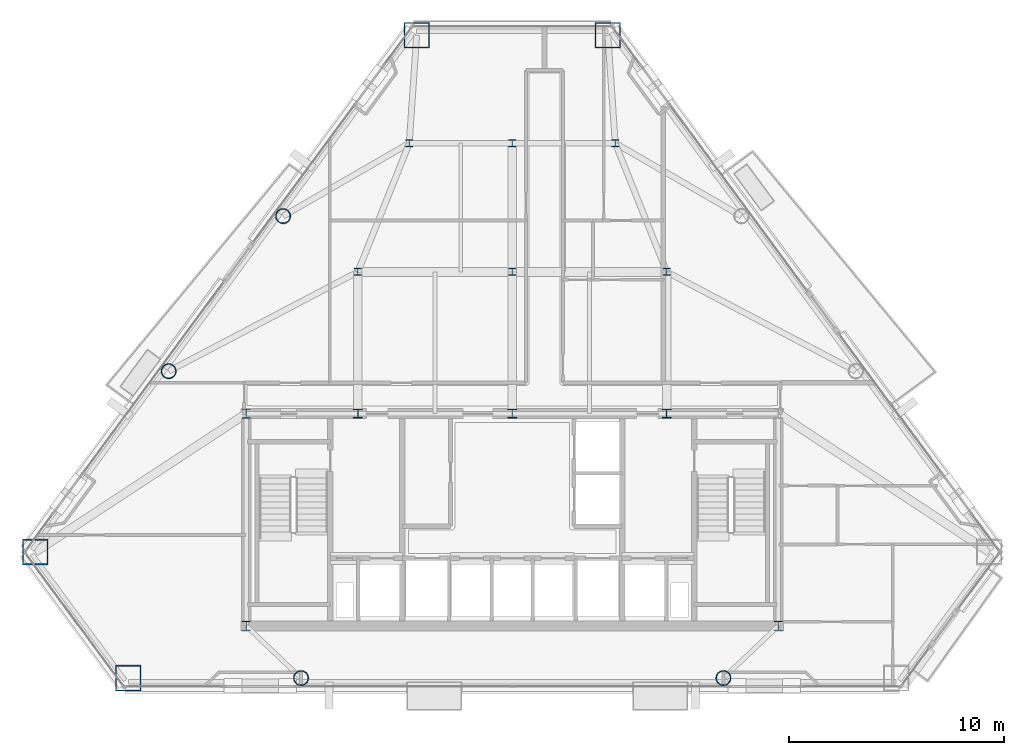
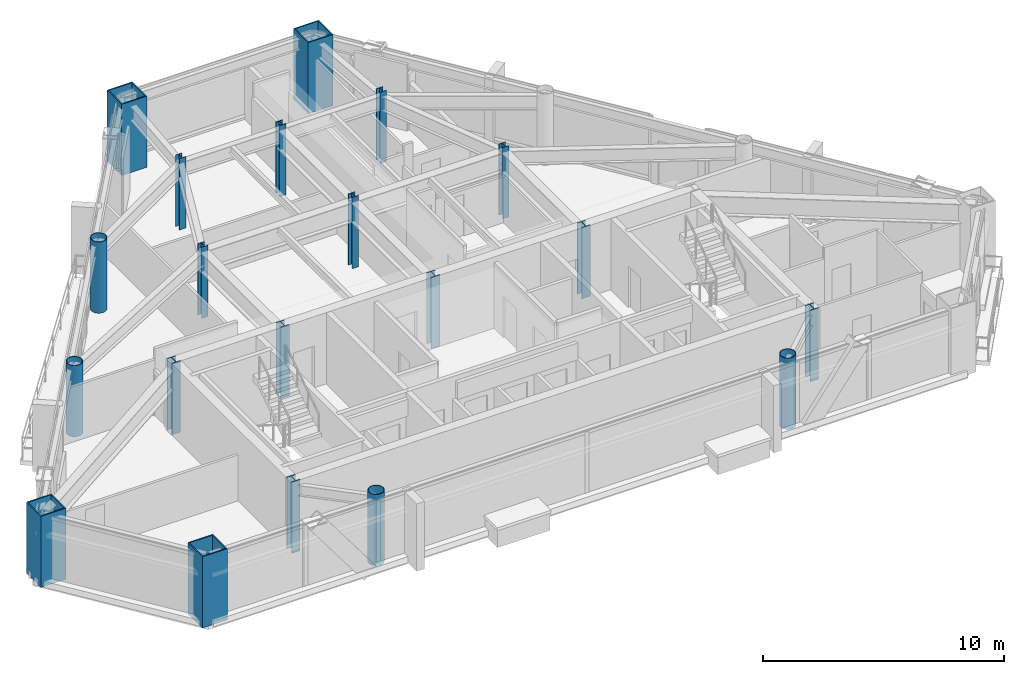
# One storey, part 1 of 11: 20 columns.
"""IFC4 building model written with IfcOpenShell, lengths in metres."""

import ifcopenshell
import ifcopenshell.guid

model = None  # the IFC model being written
_history = None  # IfcOwnerHistory: only IFC2X3 demands one
_inside = {}  # id of a spatial element -> (the spatial element, [elements in it])
_under = {}  # id of a project, library or spatial element -> (it, [spatial elements below it])
_declared = {}  # id of a project -> (the project, [libraries it declares])
_typed = {}  # id of a type object -> (the type object, [elements of that type])
_made_of = {}  # id of a material, layer set ... -> (it, [elements and type objects made of it])


def new_model(schema):
    """Start an empty IFC model of exactly this schema.

    Asked for "IFC4X3", IfcOpenShell would pick the latest addendum, in which some entities
    have other attributes; the version numbers below select the first issue.
    IFC2X3 requires an IfcOwnerHistory on every rooted entity: one is made here for all.
    """
    global model, _history
    if schema == "IFC4X3":
        model = ifcopenshell.file(schema_version=(4, 3, 0, 0))
    else:
        model = ifcopenshell.file(schema=schema)
    _inside.clear()
    _under.clear()
    _declared.clear()
    _typed.clear()
    _made_of.clear()
    _history = None
    if model.schema == "IFC2X3":
        org = make("IfcOrganization", Name="unknown")
        user = make(
            "IfcPersonAndOrganization",
            ThePerson=make("IfcPerson", FamilyName="unknown"),
            TheOrganization=org,
        )
        app = make(
            "IfcApplication",
            ApplicationDeveloper=org,
            Version="unknown",
            ApplicationFullName="unknown",
            ApplicationIdentifier="unknown",
        )
        _history = make(
            "IfcOwnerHistory",
            OwningUser=user,
            OwningApplication=app,
            ChangeAction="ADDED",
            CreationDate=0,
        )
    return model


def make(cls, **values):
    """One entity of the class cls with the attributes given. An attribute that is None is left unset."""
    return model.create_entity(
        cls, **{name: value for name, value in values.items() if value is not None}
    )


def rooted(cls, **values):
    """An entity with a GlobalId (a new one), such as an element, a storey or a relation."""
    return make(cls, GlobalId=ifcopenshell.guid.new(), OwnerHistory=_history, **values)


def si_unit(unit_type, name, prefix=None):
    """IfcSIUnit, for example si_unit("LENGTHUNIT", "METRE", prefix="MILLI")."""
    return make("IfcSIUnit", UnitType=unit_type, Prefix=prefix, Name=name)


def assignment(units):
    """IfcUnitAssignment: the units of a project."""
    return None if units is None else make("IfcUnitAssignment", Units=units)


def point(xyz):
    """IfcCartesianPoint."""
    return None if xyz is None else make("IfcCartesianPoint", Coordinates=xyz)


def direction(xyz):
    """IfcDirection."""
    return None if xyz is None else make("IfcDirection", DirectionRatios=xyz)


def frame(location, z_axis=None, x_axis=None):
    """IfcAxis2Placement3D, a coordinate frame: its origin and axes. An axis left out is left unset."""
    return make(
        "IfcAxis2Placement3D",
        Location=point(location),
        Axis=direction(z_axis),
        RefDirection=direction(x_axis),
    )


def frame_2d(location, x_axis=None):
    """IfcAxis2Placement2D, a coordinate frame in the plane: its origin and x axis."""
    return make(
        "IfcAxis2Placement2D", Location=point(location), RefDirection=direction(x_axis)
    )


def origin():
    """The frame at (0, 0, 0) with its axes left unset."""
    return frame((0.0, 0.0, 0.0))


def origin_2d():
    """The frame at (0, 0) in the plane with its x axis left unset."""
    return frame_2d((0.0, 0.0))


def place(relative_to, where):
    """IfcLocalPlacement: puts the frame where relative to a parent placement (None: the world)."""
    return make(
        "IfcLocalPlacement", PlacementRelTo=relative_to, RelativePlacement=where
    )


def context(
    kind, dimensions, precision=None, world=None, true_north=None, identifier=None
):
    """IfcGeometricRepresentationContext, for example the 3D "Model" context."""
    return make(
        "IfcGeometricRepresentationContext",
        ContextIdentifier=identifier,
        ContextType=kind,
        CoordinateSpaceDimension=dimensions,
        Precision=precision,
        WorldCoordinateSystem=world,
        TrueNorth=true_north,
    )


def subcontext(parent, identifier, kind, view, scale=None):
    """IfcGeometricRepresentationSubContext, for example "Body" below "Model"."""
    return make(
        "IfcGeometricRepresentationSubContext",
        ContextIdentifier=identifier,
        ContextType=kind,
        ParentContext=parent,
        TargetScale=scale,
        TargetView=view,
    )


def project(units=None, contexts=None):
    """IfcProject with its units and contexts."""
    return rooted(
        "IfcProject",
        Name="project",
        RepresentationContexts=contexts,
        UnitsInContext=assignment(units),
    )


def spatial(cls, under=None, at=None, **own):
    """A site, building, storey or space (cls), placed at a placement, below another one or the project."""
    s = rooted(cls, ObjectPlacement=at, **own)
    if under is not None:
        _under.setdefault(under.id(), (under, []))[1].append(s)
    return s


def profile(cls, at=None, kind="AREA", **sizes):
    """A parametric profile (cls). Its sizes go by their IFC names, for example OverallWidth=200.0."""
    return make(cls, ProfileType=kind, Position=at, **sizes)


def hollow_rectangle(**sizes):
    """IfcRectangleHollowProfileDef."""
    return profile("IfcRectangleHollowProfileDef", **sizes)


def hollow_circle(**sizes):
    """IfcCircleHollowProfileDef."""
    return profile("IfcCircleHollowProfileDef", **sizes)


def i_section(**sizes):
    """IfcIShapeProfileDef."""
    return profile("IfcIShapeProfileDef", **sizes)


def extrude(swept, where, along, depth):
    """IfcExtrudedAreaSolid: the profile swept, set in the frame where, extruded along a direction by depth."""
    return make(
        "IfcExtrudedAreaSolid",
        SweptArea=swept,
        Position=where,
        ExtrudedDirection=direction(along),
        Depth=depth,
    )


def shape(context_of_items, identifier, shape_type, items):
    """IfcShapeRepresentation: the items that make up one representation, for example the "Body"."""
    return make(
        "IfcShapeRepresentation",
        ContextOfItems=context_of_items,
        RepresentationIdentifier=identifier,
        RepresentationType=shape_type,
        Items=items,
    )


def material(Name=None, Category=None):
    """IfcMaterial."""
    return make("IfcMaterial", Name=Name, Category=Category)


def material_profile(
    of_material, cross_section, Name=None, Category=None, Priority=None
):
    """IfcMaterialProfile: a cross section and its material."""
    return make(
        "IfcMaterialProfile",
        Name=Name,
        Material=of_material,
        Profile=cross_section,
        Priority=Priority,
        Category=Category,
    )


def profile_set(profiles, Name=None, composite=None):
    """IfcMaterialProfileSet."""
    return make(
        "IfcMaterialProfileSet",
        Name=Name,
        MaterialProfiles=profiles,
        CompositeProfile=composite,
    )


def made_of(thing, what):
    """Note that an element or type object is made of a material, layer set ...; save() writes the relation."""
    if what is not None:
        _made_of.setdefault(what.id(), (what, []))[1].append(thing)
    return thing


def type_object(cls, material=None, **own):
    """A type object (cls), such as IfcWallType, which elements share."""
    return made_of(rooted(cls, **own), material)


def element(
    cls,
    number,
    at=None,
    inside=None,
    cuts=None,
    type_object=None,
    material=None,
    context=None,
    identifier="Body",
    shape_type=None,
    held_by="IfcProductDefinitionShape",
    body=None,
    shapes=None,
    **own,
):
    """One element of the class cls, such as IfcWall. Its Tag is "e" and its number.

    at: its placement. inside: the storey or other place that contains it. cuts: it is an
    opening in that element (IfcRelVoidsElement). A single representation is given by context,
    identifier, shape_type and body (its items); several are given by shapes. held_by: the class
    of the entity that holds the representations. save() writes the other relations.
    """
    e = rooted(cls, Tag="e%d" % number, ObjectPlacement=at, **own)
    if body is not None:
        shapes = [shape(context, identifier, shape_type, body)]
    if shapes is not None:
        e.Representation = make(held_by, Representations=shapes)
    if inside is not None:
        _inside.setdefault(inside.id(), (inside, []))[1].append(e)
    if cuts is not None:
        rooted(
            "IfcRelVoidsElement", RelatingBuildingElement=cuts, RelatedOpeningElement=e
        )
    if type_object is not None:
        _typed.setdefault(type_object.id(), (type_object, []))[1].append(e)
    return made_of(e, material)


def aggregate(whole, parts):
    """IfcRelAggregates: a whole, such as a stair, and the parts it consists of."""
    return rooted("IfcRelAggregates", RelatingObject=whole, RelatedObjects=parts)


def save(model, path):
    """Write the relations noted so far, then the file.

    IfcRelAggregates (storeys below a building ...), IfcRelContainedInSpatialStructure (elements
    in a storey), IfcRelDefinesByType, IfcRelAssociatesMaterial and IfcRelDeclares: one each for
    every whole, place, type object, material and project.
    """
    for whole, parts in _under.values():
        aggregate(whole, parts)
    for where, things in _inside.values():
        rooted(
            "IfcRelContainedInSpatialStructure",
            RelatedElements=things,
            RelatingStructure=where,
        )
    for kind, things in _typed.values():
        rooted("IfcRelDefinesByType", RelatedObjects=things, RelatingType=kind)
    for what, things in _made_of.values():
        rooted("IfcRelAssociatesMaterial", RelatedObjects=things, RelatingMaterial=what)
    for by, libraries in _declared.values():
        rooted("IfcRelDeclares", RelatingContext=by, RelatedDefinitions=libraries)
    model.write(path)


model = new_model("IFC4")

# Units and contexts
model_context = context("Model", 3, precision=1e-05, world=origin(), true_north=direction((0.0, 1.0)))
body_context = subcontext(model_context, "Body", "Model", "MODEL_VIEW")
ifc_project = project(units=[si_unit("LENGTHUNIT", "METRE"), si_unit("AREAUNIT", "SQUARE_METRE"), si_unit("VOLUMEUNIT", "CUBIC_METRE"), si_unit("PLANEANGLEUNIT", "RADIAN"), si_unit("MASSUNIT", "GRAM", prefix="KILO")], contexts=[model_context])

# Site, building, storey
site_placement = place(None, origin())
site = spatial("IfcSite", under=ifc_project, at=site_placement, CompositionType="ELEMENT")
building_placement = place(site_placement, origin())
building = spatial("IfcBuilding", under=site, at=building_placement, Name="Talgorran Terracotta Tower", CompositionType="ELEMENT")
storey_placement = place(building_placement, frame((0.0, 0.0, 161.699951171875)))
storey = spatial("IfcBuildingStorey", under=building, at=storey_placement, Name="L42", CompositionType="ELEMENT", Elevation=161.699951171875)

# Columns
ifc_material_1 = material(Name="Steel S355 (300PLUS)", Category="steel")
ifc_material_profile_1 = material_profile(ifc_material_1, i_section(OverallWidth=0.311279296875, OverallDepth=0.3271484375, WebThickness=0.015625, FlangeThickness=0.02490234375, at=origin_2d()), Name="310UC158")
ifc_profile_set_1 = profile_set([ifc_material_profile_1], Name="Steel S355 (300PLUS)")
column_type_1 = type_object("IfcColumnType", Name="COL_310UC158", PredefinedType="COLUMN", material=ifc_profile_set_1)
for number, where, z_axis, x_axis, name in (
    (1, (-7.199951171875, 2.39990234375, 0.0), (0.0, 0.0, 1.0), (1.0, 0.0, 0.0), "L42 Interior Gravity Column IC1"),
    (2, (0.0, 2.39990234375, 0.0), (0.0, 0.0, 1.0), (1.0, 0.0, 0.0), "L42 Interior Gravity Column IC2"),
    (3, (7.199951171875, 2.39990234375, 0.0), (0.0, 0.0, 1.0), (1.0, 0.0, 0.0), "L42 Interior Gravity Column IC3"),
    (4, (-4.800048828125, 8.39990234375, 0.0), (0.0, 0.0, 1.0), (1.0, 0.0, 0.0), "L42 Interior Gravity Column IC4"),
    (5, (0.0, 8.39990234375, 0.0), (0.0, 0.0, 1.0), (1.0, 0.0, 0.0), "L42 Interior Gravity Column IC5"),
    (6, (4.800048828125, 8.39990234375, 0.0), (0.0, 0.0, 1.0), (1.0, 0.0, 0.0), "L42 Interior Gravity Column IC6"),
):
    element("IfcColumn", number, at=place(storey_placement, frame(where, z_axis=z_axis, x_axis=x_axis)), inside=storey, type_object=column_type_1, Name=name, PredefinedType="COLUMN", context=body_context, shape_type="SweptSolid", body=[
        extrude(i_section(OverallWidth=0.311279296875, OverallDepth=0.3271484375, WebThickness=0.015625, FlangeThickness=0.02490234375, at=origin_2d()), origin(), (0.0, 0.0, 1.0), 3.60009765625),
    ])
ifc_material_profile_2 = material_profile(ifc_material_1, i_section(OverallWidth=0.39990234375, OverallDepth=0.43994140625, WebThickness=0.028076171875, FlangeThickness=0.0400390625, at=origin_2d()), Name="400WC328")
ifc_profile_set_2 = profile_set([ifc_material_profile_2], Name="Steel S355 (300PLUS)")
column_type_2 = type_object("IfcColumnType", Name="COL_400WC328", PredefinedType="COLUMN", material=ifc_profile_set_2)
for number, where, z_axis, x_axis, name in (
    (7, (-12.39990234375, -14.10009765625, 0.0), (0.0, 0.0, 1.0), (1.0, 0.0, 0.0), "L42 Core Boundary Column CC1"),
    (8, (12.39990234375, -14.10009765625, 0.0), (0.0, 0.0, 1.0), (1.0, 0.0, 0.0), "L42 Core Boundary Column CC2"),
    (9, (-12.39990234375, -4.199951171875, 0.0), (0.0, 0.0, 1.0), (1.0, 0.0, 0.0), "L42 Core Boundary Column CC4"),
):
    element("IfcColumn", number, at=place(storey_placement, frame(where, z_axis=z_axis, x_axis=x_axis)), inside=storey, type_object=column_type_2, Name=name, PredefinedType="COLUMN", context=body_context, shape_type="SweptSolid", body=[
        extrude(i_section(OverallWidth=0.39990234375, OverallDepth=0.43994140625, WebThickness=0.028076171875, FlangeThickness=0.0400390625, at=origin_2d()), origin(), (0.0, 0.0, 1.0), 3.60009765625),
    ])
ifc_material_2 = material(Name="Steel Grade 350 (350L0)", Category="steel")
ifc_material_profile_3 = material_profile(ifc_material_2, hollow_rectangle(XDim=1.199951171875, YDim=1.199951171875, WallThickness=0.054931640625, at=origin_2d()), Name="CFT1200X1200X55")
ifc_profile_set_3 = profile_set([ifc_material_profile_3], Name="Steel Grade 350 (350L0)")
column_type_3 = type_object("IfcColumnType", Name="COL_CFT_1200", PredefinedType="COLUMN", material=ifc_profile_set_3)
for number, where, z_axis, x_axis, name in (
    (10, (-22.234130859375, -10.654541015625, 0.0), (0.0, 0.0, 1.0), (1.0, 0.0, 0.0), "L42 Corner CFT Mega-Column MC1"),
    (11, (-17.898193359375, -16.530029296875, 0.0), (0.0, 0.0, 1.0), (1.0, 0.0, 0.0), "L42 Corner CFT Mega-Column MC2"),
    (12, (4.45703125, 13.4345703125, 0.0), (0.0, 0.0, 1.0), (1.0, 0.0, 0.0), "L42 Corner CFT Mega-Column MC5"),
    (13, (-4.45703125, 13.4345703125, 0.0), (0.0, 0.0, 1.0), (1.0, 0.0, 0.0), "L42 Corner CFT Mega-Column MC6"),
):
    element("IfcColumn", number, at=place(storey_placement, frame(where, z_axis=z_axis, x_axis=x_axis)), inside=storey, type_object=column_type_3, Name=name, PredefinedType="COLUMN", context=body_context, shape_type="SweptSolid", body=[
        extrude(hollow_rectangle(XDim=1.199951171875, YDim=1.199951171875, WallThickness=0.054931640625, at=origin_2d()), origin(), (0.0, 0.0, 1.0), 3.60009765625),
    ])
ifc_material_profile_4 = material_profile(ifc_material_2, hollow_circle(Radius=0.35009765625, WallThickness=0.030029296875, at=origin_2d()), Name="CHS700X30")
ifc_profile_set_4 = profile_set([ifc_material_profile_4], Name="Steel Grade 350 (350L0)")
column_type_4 = type_object("IfcColumnType", Name="COL_CHS_700", PredefinedType="COLUMN", material=ifc_profile_set_4)
for number, where, z_axis, x_axis, name in (
    (14, (-9.843994140625, -16.530029296875, 0.0), (0.0, 0.0, 1.0), (1.0, 0.0, 0.0), "L42 Facet Perimeter Column FC1"),
    (15, (9.843994140625, -16.530029296875, 0.0), (0.0, 0.0, 1.0), (1.0, 0.0, 0.0), "L42 Facet Perimeter Column FC2"),
    (16, (-10.67919921875, 5.00341796875, 0.0), (0.0, 0.0, 1.0), (1.0, 0.0, 0.0), "L42 Facet Perimeter Column FC5"),
    (17, (-16.01220703125, -2.223388671875, 0.0), (0.0, 0.0, 1.0), (1.0, 0.0, 0.0), "L42 Facet Perimeter Column FC6"),
):
    element("IfcColumn", number, at=place(storey_placement, frame(where, z_axis=z_axis, x_axis=x_axis)), inside=storey, type_object=column_type_4, Name=name, PredefinedType="COLUMN", context=body_context, shape_type="SweptSolid", body=[
        extrude(hollow_circle(Radius=0.35009765625, WallThickness=0.030029296875, at=origin_2d()), origin(), (0.0, 0.0, 1.0), 3.60009765625),
    ])
ifc_material_profile_5 = material_profile(ifc_material_1, i_section(OverallWidth=0.405029296875, OverallDepth=0.4140625, WebThickness=0.02197265625, FlangeThickness=0.031982421875, at=origin_2d()), Name="400WC270")
ifc_profile_set_5 = profile_set([ifc_material_profile_5], Name="Steel S355 (300PLUS)")
column_type_5 = type_object("IfcColumnType", Name="COL_PIL_400WC270", PredefinedType="PILASTER", material=ifc_profile_set_5)
for number, where, z_axis, x_axis, name in (
    (18, (-7.199951171875, -4.199951171875, 0.0), (0.0, 0.0, 1.0), (1.0, 0.0, 0.0), "L42 Core Shear Pilaster CP1"),
    (19, (0.0, -4.199951171875, 0.0), (0.0, 0.0, 1.0), (1.0, 0.0, 0.0), "L42 Core Shear Pilaster CP2"),
    (20, (7.199951171875, -4.199951171875, 0.0), (0.0, 0.0, 1.0), (1.0, 0.0, 0.0), "L42 Core Shear Pilaster CP3"),
):
    element("IfcColumn", number, at=place(storey_placement, frame(where, z_axis=z_axis, x_axis=x_axis)), inside=storey, type_object=column_type_5, Name=name, PredefinedType="PILASTER", context=body_context, shape_type="SweptSolid", body=[
        extrude(i_section(OverallWidth=0.405029296875, OverallDepth=0.4140625, WebThickness=0.02197265625, FlangeThickness=0.031982421875, at=origin_2d()), origin(), (0.0, 0.0, 1.0), 3.60009765625),
    ])

save(model, "model.ifc")
